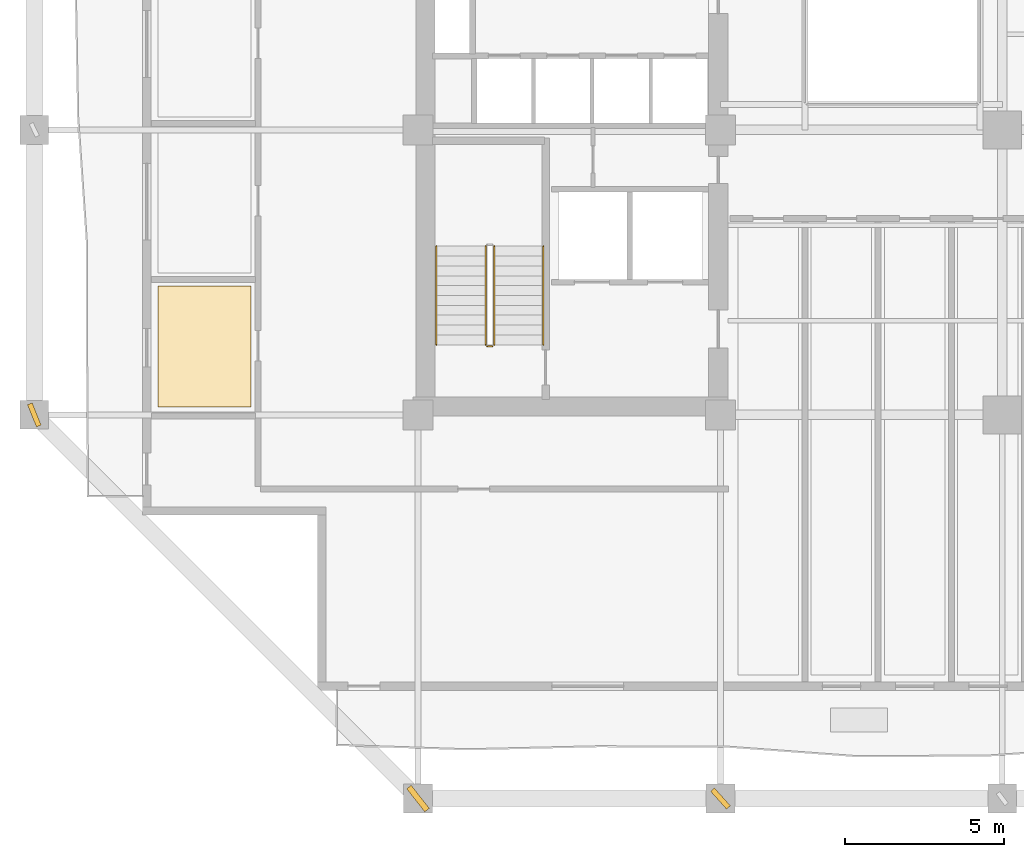
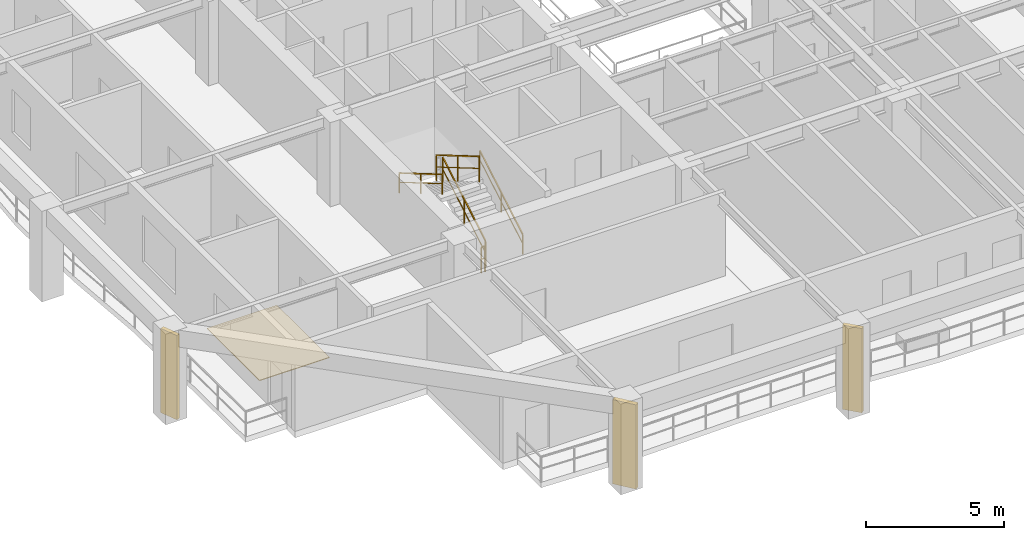
# One storey, part 8 of 14: 5 railings, 3 shading devices, 1 covering.
"""IFC4 building model written with IfcOpenShell, lengths in metres."""

from ifc_helpers import new_model, si_unit, direction, frame, origin, origin_2d, place, context, subcontext, project, spatial, polyline, rectangle, outline, extrude, material, layer, layer_set, type_object, element, save


model = new_model("IFC4")

# Units and contexts
model_context = context("Model", 3, precision=1e-05, world=origin(), true_north=direction((0.0, 1.0)))
body_context = subcontext(model_context, "Body", "Model", "MODEL_VIEW")
ifc_project = project(units=[si_unit("LENGTHUNIT", "METRE"), si_unit("AREAUNIT", "SQUARE_METRE"), si_unit("VOLUMEUNIT", "CUBIC_METRE"), si_unit("PLANEANGLEUNIT", "RADIAN"), si_unit("MASSUNIT", "GRAM", prefix="KILO")], contexts=[model_context])

# Site, building, storey
site_placement = place(None, origin())
site = spatial("IfcSite", under=ifc_project, at=site_placement, CompositionType="ELEMENT")
building_placement = place(site_placement, origin())
building = spatial("IfcBuilding", under=site, at=building_placement, Name="Kundavana Baori Tower", CompositionType="ELEMENT")
storey_placement = place(building_placement, frame((0.0, 0.0, 74.0)))
storey = spatial("IfcBuildingStorey", under=building, at=storey_placement, Name="L17", CompositionType="ELEMENT", Elevation=74.0)

# Covering
ifc_material_1 = material(Name="Honed Kota Stone and Terrazzo Flooring", Category="masonry")
ifc_layer = layer(ifc_material_1, 0.030029296875, Name="COV-INT-FLR")
ifc_layer_set = layer_set([ifc_layer], Name="Honed Kota Stone and Terrazzo Flooring")
covering_type = type_object("IfcCoveringType", Name="COV-INT-FLR", PredefinedType="FLOORING", material=ifc_layer_set)
covering_placement = place(storey_placement, origin())
element("IfcCovering", 1, at=covering_placement, inside=storey, type_object=covering_type, Name="L17 Room Finished Stone Flooring 1", PredefinedType="FLOORING", context=body_context, shape_type="SweptSolid", body=[
    extrude(outline(polyline([(7.280029296875, 15.5), (10.199951171875, 15.5), (10.199951171875, 19.300048828125), (7.280029296875, 19.300048828125), (7.280029296875, 15.5)])), origin(), (0.0, 0.0, 1.0), 0.030029296875),
])

# Railings
ifc_material_2 = material(Name="Architectural Patinated Bronze Metalwork")
railing_type_1 = type_object("IfcRailingType", Name="RL-GRD-1150", PredefinedType="GUARDRAIL", material=ifc_material_2)
railing_1_placement = place(storey_placement, frame((17.840087890625, 17.449951171875, 0.181884765625)))
element("IfcRailing", 2, at=railing_1_placement, inside=storey, type_object=railing_type_1, Name="L17 ST1 stair guard 1", PredefinedType="GUARDRAIL", context=body_context, shape_type="SweptSolid", body=[
    extrude(rectangle(XDim=0.048095703125, YDim=0.048095703125, at=origin_2d()), frame((0.0, 0.0, 1.1259765625), z_axis=(0.0, 0.862598821094, 0.505888598258), x_axis=(-1.0, 0.0, 0.0)), (0.0, 0.0, 1.0), 3.593994140625),
    extrude(rectangle(XDim=0.03125, YDim=0.03125, at=origin_2d()), frame((0.0, 0.0, 0.597900390625), z_axis=(0.0, 0.862598821094, 0.505888598258), x_axis=(-1.0, 0.0, 0.0)), (0.0, 0.0, 1.0), 3.593994140625),
    extrude(rectangle(XDim=0.0419921875, YDim=0.0419921875, at=origin_2d()), origin(), (0.0, 0.0, 1.0), 1.101806640625),
    extrude(rectangle(XDim=0.0419921875, YDim=0.0419921875, at=origin_2d()), frame((0.0, 1.550048828125, 0.9091796875)), (0.0, 0.0, 1.0), 1.101806640625),
    extrude(rectangle(XDim=0.0419921875, YDim=0.0419921875, at=origin_2d()), frame((0.0, 3.10009765625, 1.818115234375)), (0.0, 0.0, 1.0), 1.101806640625),
])
railing_2_placement = place(storey_placement, frame((17.580078125, 20.550048828125, 2.181884765625)))
element("IfcRailing", 3, at=railing_2_placement, inside=storey, type_object=railing_type_1, Name="L17 ST1 stair guard 3", PredefinedType="GUARDRAIL", context=body_context, shape_type="SweptSolid", body=[
    extrude(rectangle(XDim=0.048095703125, YDim=0.048095703125, at=origin_2d()), frame((0.0, 0.0, 1.1259765625), z_axis=(0.0, -0.862598821094, 0.505888598258), x_axis=(1.0, 0.0, 0.0)), (0.0, 0.0, 1.0), 3.593994140625),
    extrude(rectangle(XDim=0.03125, YDim=0.03125, at=origin_2d()), frame((0.0, 0.0, 0.597900390625), z_axis=(0.0, -0.862598821094, 0.505888598258), x_axis=(1.0, 0.0, 0.0)), (0.0, 0.0, 1.0), 3.593994140625),
    extrude(rectangle(XDim=0.0419921875, YDim=0.0419921875, at=origin_2d()), origin(), (0.0, 0.0, 1.0), 1.101806640625),
    extrude(rectangle(XDim=0.0419921875, YDim=0.0419921875, at=origin_2d()), frame((0.0, -1.550048828125, 0.9091796875)), (0.0, 0.0, 1.0), 1.101806640625),
    extrude(rectangle(XDim=0.0419921875, YDim=0.0419921875, at=origin_2d()), frame((0.0, -3.10009765625, 1.818115234375)), (0.0, 0.0, 1.0), 1.101806640625),
])
railing_3_placement = place(storey_placement, frame((17.7900390625, 17.39990234375, 0.0)))
element("IfcRailing", 4, at=railing_3_placement, inside=storey, type_object=railing_type_1, Name="L17 ST1 stair guard 4", PredefinedType="GUARDRAIL", context=body_context, shape_type="SweptSolid", body=[
    extrude(rectangle(XDim=0.048095703125, YDim=0.048095703125, at=origin_2d()), frame((0.0, 0.0, 1.1259765625), z_axis=(-1.0, 0.0, 0.0), x_axis=(0.0, -1.0, 0.0)), (0.0, 0.0, 1.0), 0.16015625),
    extrude(rectangle(XDim=0.03125, YDim=0.03125, at=origin_2d()), frame((0.0, 0.0, 0.597900390625), z_axis=(-1.0, 0.0, 0.0), x_axis=(0.0, -1.0, 0.0)), (0.0, 0.0, 1.0), 0.16015625),
    extrude(rectangle(XDim=0.0419921875, YDim=0.0419921875, at=origin_2d()), origin(), (0.0, 0.0, 1.0), 1.101806640625),
    extrude(rectangle(XDim=0.0419921875, YDim=0.0419921875, at=origin_2d()), frame((-0.16015625, 0.0, 0.0)), (0.0, 0.0, 1.0), 1.101806640625),
])
ifc_material_3 = material(Name="Architectural Patinated Bronze Metalwork")
railing_type_2 = type_object("IfcRailingType", Name="RL-HND-920", PredefinedType="HANDRAIL", material=ifc_material_3)
railing_4_placement = place(storey_placement, frame((19.389892578125, 17.449951171875, 0.181884765625)))
element("IfcRailing", 5, at=railing_4_placement, inside=storey, type_object=railing_type_2, Name="L17 ST1 stair handrail 1", PredefinedType="HANDRAIL", context=body_context, shape_type="SweptSolid", body=[
    extrude(rectangle(XDim=0.048095703125, YDim=0.048095703125, at=origin_2d()), frame((0.0, 0.0, 0.8759765625), z_axis=(0.0, 0.862598821094, 0.505888598258), x_axis=(-1.0, 0.0, 0.0)), (0.0, 0.0, 1.0), 3.593994140625),
    extrude(rectangle(XDim=0.03125, YDim=0.03125, at=origin_2d()), frame((0.0, 0.0, 0.468017578125), z_axis=(0.0, 0.862598821094, 0.505888598258), x_axis=(-1.0, 0.0, 0.0)), (0.0, 0.0, 1.0), 3.593994140625),
    extrude(rectangle(XDim=0.0419921875, YDim=0.0419921875, at=origin_2d()), origin(), (0.0, 0.0, 1.0), 0.851806640625),
    extrude(rectangle(XDim=0.0419921875, YDim=0.0419921875, at=origin_2d()), frame((0.0, 1.550048828125, 0.9091796875)), (0.0, 0.0, 1.0), 0.851806640625),
    extrude(rectangle(XDim=0.0419921875, YDim=0.0419921875, at=origin_2d()), frame((0.0, 3.10009765625, 1.818115234375)), (0.0, 0.0, 1.0), 0.851806640625),
])
railing_5_placement = place(storey_placement, frame((16.030029296875, 20.550048828125, 2.181884765625)))
element("IfcRailing", 6, at=railing_5_placement, inside=storey, type_object=railing_type_2, Name="L17 ST1 stair handrail 2", PredefinedType="HANDRAIL", context=body_context, shape_type="SweptSolid", body=[
    extrude(rectangle(XDim=0.048095703125, YDim=0.048095703125, at=origin_2d()), frame((0.0, 0.0, 0.8759765625), z_axis=(0.0, -0.862598821094, 0.505888598258), x_axis=(1.0, 0.0, 0.0)), (0.0, 0.0, 1.0), 3.593994140625),
    extrude(rectangle(XDim=0.03125, YDim=0.03125, at=origin_2d()), frame((0.0, 0.0, 0.468017578125), z_axis=(0.0, -0.862598821094, 0.505888598258), x_axis=(1.0, 0.0, 0.0)), (0.0, 0.0, 1.0), 3.593994140625),
    extrude(rectangle(XDim=0.0419921875, YDim=0.0419921875, at=origin_2d()), origin(), (0.0, 0.0, 1.0), 0.851806640625),
    extrude(rectangle(XDim=0.0419921875, YDim=0.0419921875, at=origin_2d()), frame((0.0, -1.550048828125, 0.9091796875)), (0.0, 0.0, 1.0), 0.851806640625),
    extrude(rectangle(XDim=0.0419921875, YDim=0.0419921875, at=origin_2d()), frame((0.0, -3.10009765625, 1.818115234375)), (0.0, 0.0, 1.0), 0.851806640625),
])

# Shading devices
ifc_material_4 = material(Name="Red-Buff Dholpur Sandstone Cladding on Concrete C40/50", Category="masonry")
shading_device_type_1 = type_object("IfcShadingDeviceType", Name="SHD-FIN-750", PredefinedType="JALOUSIE", material=ifc_material_4)
for number, where, z_axis, x_axis, name in (
    (7, (24.949951171875, 3.199951171875, 0.0), (0.0, 0.0, 1.0), (0.743728469045, 0.668481835454, 0.0), "L17 Sweeping Dholpur Sandstone Facade Fin 2"),
    (8, (3.39990234375, 15.25, 0.0), (0.0, 0.0, 1.0), (0.927118459261, 0.37476841182, 0.0), "L17 Sweeping Dholpur Sandstone Facade Fin 5"),
):
    element("IfcShadingDevice", number, at=place(storey_placement, frame(where, z_axis=z_axis, x_axis=x_axis)), inside=storey, type_object=shading_device_type_1, Name=name, PredefinedType="JALOUSIE", context=body_context, shape_type="SweptSolid", body=[
        extrude(rectangle(XDim=0.159912109375, YDim=0.75, at=origin_2d()), origin(), (0.0, 0.0, 1.0), 3.719970703125),
    ])
ifc_material_5 = material(Name="Red-Buff Dholpur Sandstone Cladding on Concrete C40/50", Category="masonry")
shading_device_type_2 = type_object("IfcShadingDeviceType", Name="SHD-FIN-920", PredefinedType="JALOUSIE", material=ifc_material_5)
shading_device_placement = place(storey_placement, frame((15.449951171875, 3.199951171875, 0.0), z_axis=(0.0, 0.0, 1.0), x_axis=(0.786072710546, 0.618134041883, 0.0)))
element("IfcShadingDevice", 9, at=shading_device_placement, inside=storey, type_object=shading_device_type_2, Name="L17 Sweeping Dholpur Sandstone Facade Fin 1", PredefinedType="JALOUSIE", context=body_context, shape_type="SweptSolid", body=[
    extrude(rectangle(XDim=0.179931640625, YDim=0.919921875, at=origin_2d()), origin(), (0.0, 0.0, 1.0), 3.719970703125),
])

save(model, "model.ifc")
